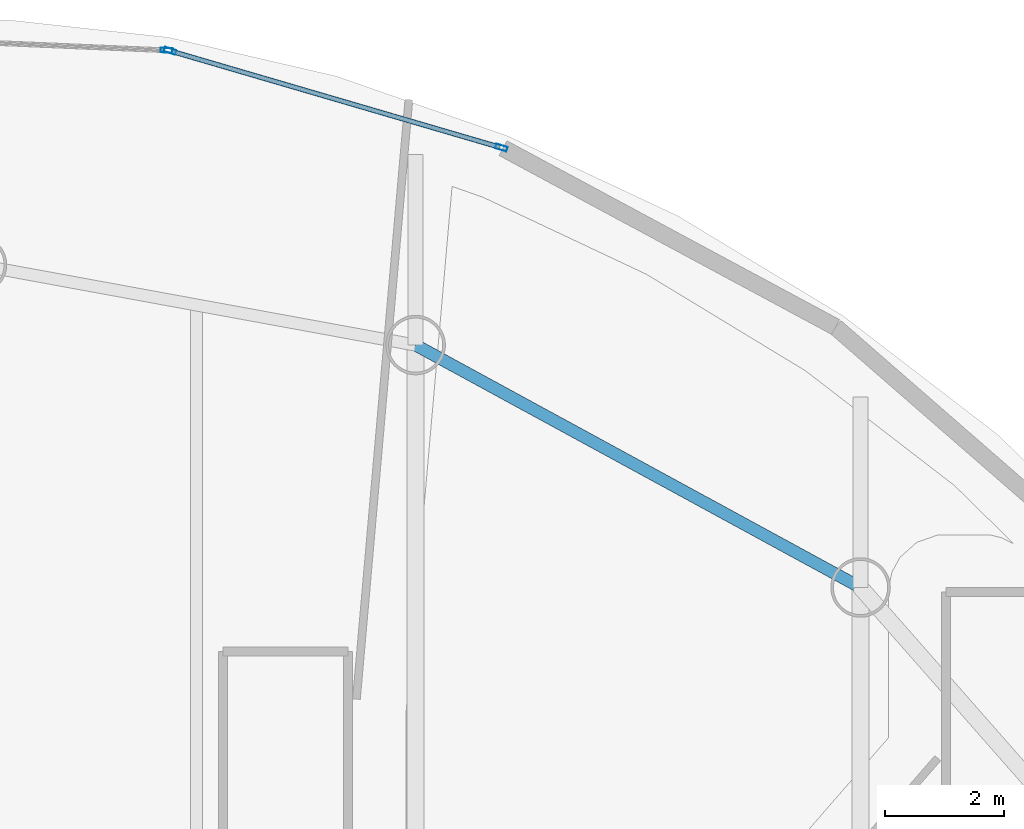
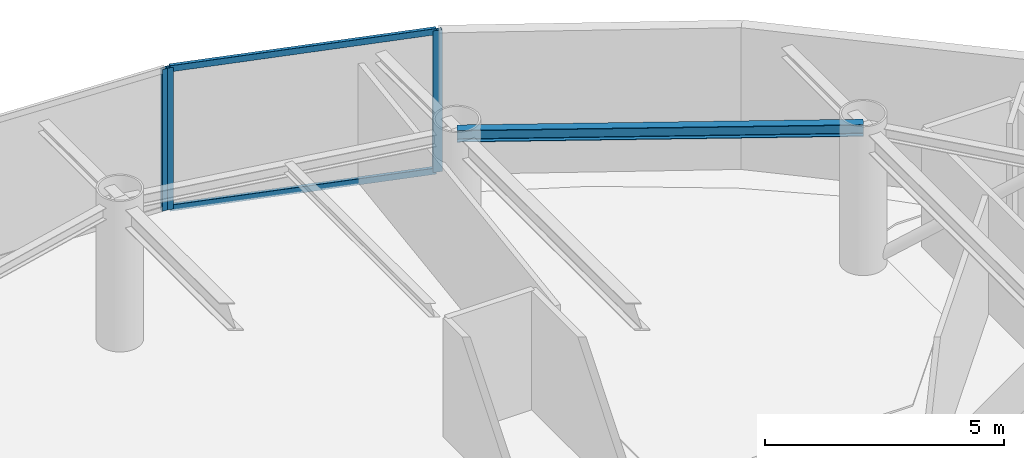
# One storey, part 11 of 18: 5 members, 1 beam, 2 elements without a shape of their own.
"""IFC4 building model written with IfcOpenShell, lengths in metres."""

from ifc_helpers import new_model, si_unit, direction, frame, origin, origin_2d, place, context, subcontext, project, spatial, hollow_rectangle, i_section, extrude, material, layer, layer_set, material_profile, profile_set, type_object, element, aggregate, save


model = new_model("IFC4")

# Units and contexts
model_context = context("Model", 3, precision=1e-05, world=origin(), true_north=direction((0.0, 1.0)))
body_context = subcontext(model_context, "Body", "Model", "MODEL_VIEW")
ifc_project = project(units=[si_unit("LENGTHUNIT", "METRE"), si_unit("AREAUNIT", "SQUARE_METRE"), si_unit("VOLUMEUNIT", "CUBIC_METRE"), si_unit("PLANEANGLEUNIT", "RADIAN"), si_unit("MASSUNIT", "GRAM", prefix="KILO")], contexts=[model_context])

# Site, building, storey
site_placement = place(None, origin())
site = spatial("IfcSite", under=ifc_project, at=site_placement, CompositionType="ELEMENT")
building_placement = place(site_placement, origin())
building = spatial("IfcBuilding", under=site, at=building_placement, Name="Bramvorn Convention Spire", CompositionType="ELEMENT")
storey_placement = place(building_placement, frame((0.0, 0.0, 288.25)))
storey = spatial("IfcBuildingStorey", under=building, at=storey_placement, Name="L73", CompositionType="ELEMENT", Elevation=288.25)

# Beam
ifc_material_1 = material(Name="Steel CSA G40.21 Grade 350 (350W)", Category="steel")
ifc_material_profile_1 = material_profile(ifc_material_1, i_section(OverallWidth=0.202880859375, OverallDepth=0.302978515625, WebThickness=0.007568359375, FlangeThickness=0.01318359375, FilletRadius=0.013916015625, at=origin_2d()))
ifc_profile_set_1 = profile_set([ifc_material_profile_1], Name="Steel CSA G40.21 Grade 350 (350W) - W310X60")
beam_type = type_object("IfcBeamType", Name="BM-W310X60", PredefinedType="JOIST", material=ifc_profile_set_1)
beam_placement = place(storey_placement, frame((47.662353515625, 41.476806640625, 3.473388671875), z_axis=(-0.878133224771, 0.478416178189, 0.0), x_axis=(-0.478416178189, -0.878133224771, 0.0)))
element("IfcBeam", 1, at=beam_placement, inside=storey, type_object=beam_type, Name="L73 mega-column ring beam 06", PredefinedType="JOIST", context=body_context, shape_type="SweptSolid", body=[
    extrude(i_section(OverallWidth=0.202880859375, OverallDepth=0.302978515625, WebThickness=0.007568359375, FlangeThickness=0.01318359375, FilletRadius=0.013916015625, at=origin_2d()), origin(), (0.0, 0.0, 1.0), 8.515625),
])

# Curtain wall, members
ifc_material_2 = material(Name="Anodised Bronze Unitised Curtain Wall", Category="aluminium")
ifc_layer = layer(ifc_material_2, 0.179931640625)
ifc_layer_set = layer_set([ifc_layer], Name="Anodised Bronze Unitised Curtain Wall - CW-OFF-FRIT")
curtain_wall_type = type_object("IfcCurtainWallType", Name="CW-OFF-FRIT", PredefinedType="USERDEFINED", material=ifc_layer_set)
curtain_wall_1_placement = place(storey_placement, origin())
curtain_wall_1 = element("IfcCurtainWall", 2, at=curtain_wall_1_placement, inside=storey, type_object=curtain_wall_type, Name="L73 fritted glass curtain wall 10", ObjectType="UNITISED CURTAIN WALL", PredefinedType="USERDEFINED")
ifc_material_3 = material(Name="Anodised Bronze Aluminium 6063-T6", Category="aluminium")
ifc_material_profile_2 = material_profile(ifc_material_3, hollow_rectangle(XDim=0.080078125, YDim=0.199951171875, WallThickness=0.00390625, InnerFilletRadius=0.0009765625, OuterFilletRadius=0.00390625, at=origin_2d()))
ifc_profile_set_2 = profile_set([ifc_material_profile_2], Name="Anodised Bronze Aluminium 6063-T6 - CWM80X200")
member_type_1 = type_object("IfcMemberType", Name="CW-MUL-180", PredefinedType="MULLION", material=ifc_profile_set_2)
member_1_placement = place(storey_placement, frame((36.05810546875, 50.49609375, 0.0), z_axis=(0.0, 0.0, 1.0), x_axis=(0.280564814978, 0.959835081978, 0.0)))
member_1 = element("IfcMember", 3, at=member_1_placement, type_object=member_type_1, Name="CW3 mullion 1", PredefinedType="MULLION", context=body_context, shape_type="SweptSolid", body=[
    extrude(hollow_rectangle(XDim=0.080078125, YDim=0.199951171875, WallThickness=0.00390625, InnerFilletRadius=0.0009765625, OuterFilletRadius=0.00390625, at=origin_2d()), origin(), (0.0, 0.0, 1.0), 3.625),
])
member_2_placement = place(storey_placement, frame((41.625, 48.868896484375, 0.0), z_axis=(0.0, 0.0, 1.0), x_axis=(0.280564814978, 0.959835081978, 0.0)))
member_2 = element("IfcMember", 4, at=member_2_placement, type_object=member_type_1, Name="CW3 mullion 2", PredefinedType="MULLION", context=body_context, shape_type="SweptSolid", body=[
    extrude(hollow_rectangle(XDim=0.080078125, YDim=0.199951171875, WallThickness=0.00390625, InnerFilletRadius=0.0009765625, OuterFilletRadius=0.00390625, at=origin_2d()), origin(), (0.0, 0.0, 1.0), 3.625),
])

# Curtain wall, member
curtain_wall_2_placement = place(storey_placement, origin())
curtain_wall_2 = element("IfcCurtainWall", 5, at=curtain_wall_2_placement, inside=storey, type_object=curtain_wall_type, Name="L73 fritted glass curtain wall 11", ObjectType="UNITISED CURTAIN WALL", PredefinedType="USERDEFINED")
member_3_placement = place(storey_placement, frame((35.999267578125, 50.505859375, 0.0), z_axis=(0.0, 0.0, 1.0), x_axis=(0.042843993774, 0.99908177453, 0.0)))
member_3 = element("IfcMember", 6, at=member_3_placement, type_object=member_type_1, Name="CW3 mullion 2", PredefinedType="MULLION", context=body_context, shape_type="SweptSolid", body=[
    extrude(hollow_rectangle(XDim=0.080078125, YDim=0.199951171875, WallThickness=0.00390625, InnerFilletRadius=0.0009765625, OuterFilletRadius=0.00390625, at=origin_2d()), origin(), (0.0, 0.0, 1.0), 3.625),
])
aggregate(curtain_wall_2, [member_3])

# Member
ifc_material_profile_3 = material_profile(ifc_material_3, hollow_rectangle(XDim=0.080078125, YDim=0.159912109375, WallThickness=0.00390625, InnerFilletRadius=0.0009765625, OuterFilletRadius=0.00390625, at=origin_2d()))
ifc_profile_set_3 = profile_set([ifc_material_profile_3], Name="Anodised Bronze Aluminium 6063-T6 - CWT80X160")
member_type_2 = type_object("IfcMemberType", Name="CW-TRN-150", PredefinedType="USERDEFINED", material=ifc_profile_set_3)
member_4_placement = place(storey_placement, frame((36.086669921875, 50.48779296875, 0.030029296875), z_axis=(0.959840260589, -0.280547097924, 0.0), x_axis=(0.280547097924, 0.959840260589, 0.0)))
member_4 = element("IfcMember", 7, at=member_4_placement, type_object=member_type_2, Name="CW3 transom 1.1", ObjectType="TRANSOM", PredefinedType="USERDEFINED", context=body_context, shape_type="SweptSolid", body=[
    extrude(hollow_rectangle(XDim=0.080078125, YDim=0.159912109375, WallThickness=0.00390625, InnerFilletRadius=0.0009765625, OuterFilletRadius=0.00390625, at=origin_2d()), origin(), (0.0, 0.0, 1.0), 5.739990234375),
])

member_5_placement = place(storey_placement, frame((36.086669921875, 50.48779296875, 3.594970703125), z_axis=(0.959840260589, -0.280547097924, 0.0), x_axis=(0.280547097924, 0.959840260589, 0.0)))
member_5 = element("IfcMember", 8, at=member_5_placement, type_object=member_type_2, Name="CW3 transom 1.2", ObjectType="TRANSOM", PredefinedType="USERDEFINED", context=body_context, shape_type="SweptSolid", body=[
    extrude(hollow_rectangle(XDim=0.080078125, YDim=0.159912109375, WallThickness=0.00390625, InnerFilletRadius=0.0009765625, OuterFilletRadius=0.00390625, at=origin_2d()), origin(), (0.0, 0.0, 1.0), 5.739990234375),
])

aggregate(curtain_wall_1, [member_1, member_2, member_4, member_5])

save(model, "model.ifc")
